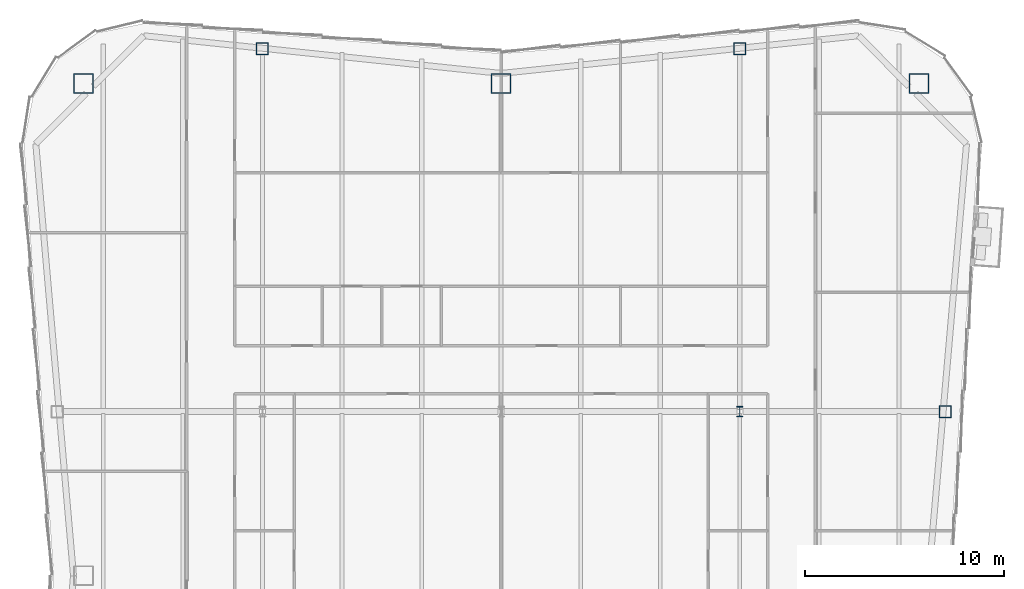
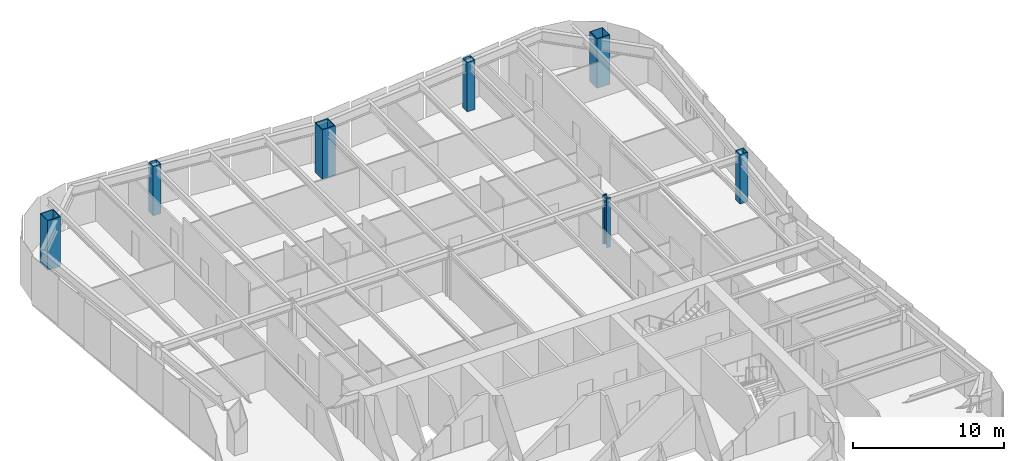
# One storey, part 2 of 12: 7 columns.
"""IFC4 building model written with IfcOpenShell, lengths in metres."""

from ifc_helpers import new_model, si_unit, direction, frame, origin, origin_2d, place, context, subcontext, project, spatial, hollow_rectangle, i_section, extrude, material, material_profile, profile_set, type_object, element, save


model = new_model("IFC4")

# Units and contexts
model_context = context("Model", 3, precision=1e-05, world=origin(), true_north=direction((0.0, 1.0)))
body_context = subcontext(model_context, "Body", "Model", "MODEL_VIEW")
ifc_project = project(units=[si_unit("LENGTHUNIT", "METRE"), si_unit("AREAUNIT", "SQUARE_METRE"), si_unit("VOLUMEUNIT", "CUBIC_METRE"), si_unit("PLANEANGLEUNIT", "RADIAN"), si_unit("MASSUNIT", "GRAM", prefix="KILO")], contexts=[model_context])

# Site, building, storey
site_placement = place(None, origin())
site = spatial("IfcSite", under=ifc_project, at=site_placement, CompositionType="ELEMENT")
building_placement = place(site_placement, origin())
building = spatial("IfcBuilding", under=site, at=building_placement, Name="Verdant Reach Tower", CompositionType="ELEMENT")
storey_placement = place(building_placement, frame((0.0, 0.0, 242.0)))
storey = spatial("IfcBuildingStorey", under=building, at=storey_placement, Name="L55", CompositionType="ELEMENT", Elevation=242.0)

# Columns
ifc_material = material(Name="Steel S460", Category="steel")
ifc_material_profile_1 = material_profile(ifc_material, i_section(OverallWidth=0.305908203125, OverallDepth=0.52392578125, WebThickness=0.012451171875, FlangeThickness=0.0400390625, FilletRadius=0.027099609375, at=origin_2d()), Name="HEM 500")
ifc_profile_set_1 = profile_set([ifc_material_profile_1], Name="Steel S460")
column_type_1 = type_object("IfcColumnType", Name="ST-COL-HEM500", PredefinedType="COLUMN", material=ifc_profile_set_1)
column_placement = place(storey_placement, frame((12.0, 49.5, 0.0), z_axis=(0.0, 0.0, 1.0), x_axis=(1.0, 0.0, 0.0)))
element("IfcColumn", 1, at=column_placement, inside=storey, type_object=column_type_1, Name="Interior column 3, L55", PredefinedType="COLUMN", context=body_context, shape_type="SweptSolid", body=[
    extrude(i_section(OverallWidth=0.305908203125, OverallDepth=0.52392578125, WebThickness=0.012451171875, FlangeThickness=0.0400390625, FilletRadius=0.027099609375, at=origin_2d()), origin(), (0.0, 0.0, 1.0), 4.0),
])
ifc_material_profile_2 = material_profile(ifc_material, hollow_rectangle(XDim=1.0, YDim=1.0, WallThickness=0.044921875, at=origin_2d()), Name="WB 1000x1000x45")
ifc_profile_set_2 = profile_set([ifc_material_profile_2], Name="Steel S460")
column_type_2 = type_object("IfcColumnType", Name="ST-COL-WB1000x1000x45", PredefinedType="COLUMN", material=ifc_profile_set_2)
for number, where, z_axis, x_axis, name in (
    (2, (-21.0, 66.0, 0.0), (0.0, 0.0, 1.0), (1.0, 0.0, 0.0), "Mega column north-west, L55"),
    (3, (0.0, 66.0, 0.0), (0.0, 0.0, 1.0), (1.0, 0.0, 0.0), "Mega column north, L55"),
    (4, (21.0, 66.0, 0.0), (0.0, 0.0, 1.0), (1.0, 0.0, 0.0), "Mega column north-east, L55"),
):
    element("IfcColumn", number, at=place(storey_placement, frame(where, z_axis=z_axis, x_axis=x_axis)), inside=storey, type_object=column_type_2, Name=name, PredefinedType="COLUMN", context=body_context, shape_type="SweptSolid", body=[
        extrude(hollow_rectangle(XDim=1.0, YDim=1.0, WallThickness=0.044921875, at=origin_2d()), origin(), (0.0, 0.0, 1.0), 4.0),
    ])
ifc_material_profile_3 = material_profile(ifc_material, hollow_rectangle(XDim=0.60009765625, YDim=0.60009765625, WallThickness=0.02490234375, at=origin_2d()), Name="WB 600x600x25")
ifc_profile_set_3 = profile_set([ifc_material_profile_3], Name="Steel S460")
column_type_3 = type_object("IfcColumnType", Name="ST-COL-WB600x600x25", PredefinedType="COLUMN", material=ifc_profile_set_3)
for number, where, z_axis, x_axis, name in (
    (5, (-12.0, 67.75, 0.0), (0.0, 0.0, 1.0), (1.0, 0.0, 0.0), "Perimeter column north 1, L55"),
    (6, (12.0, 67.75, 0.0), (0.0, 0.0, 1.0), (1.0, 0.0, 0.0), "Perimeter column north 2, L55"),
    (7, (22.319091796875, 49.5, 0.0), (0.0, 0.0, 1.0), (1.0, 0.0, 0.0), "Perimeter column east 2, L55"),
):
    element("IfcColumn", number, at=place(storey_placement, frame(where, z_axis=z_axis, x_axis=x_axis)), inside=storey, type_object=column_type_3, Name=name, PredefinedType="COLUMN", context=body_context, shape_type="SweptSolid", body=[
        extrude(hollow_rectangle(XDim=0.60009765625, YDim=0.60009765625, WallThickness=0.02490234375, at=origin_2d()), origin(), (0.0, 0.0, 1.0), 4.0),
    ])

save(model, "model.ifc")
